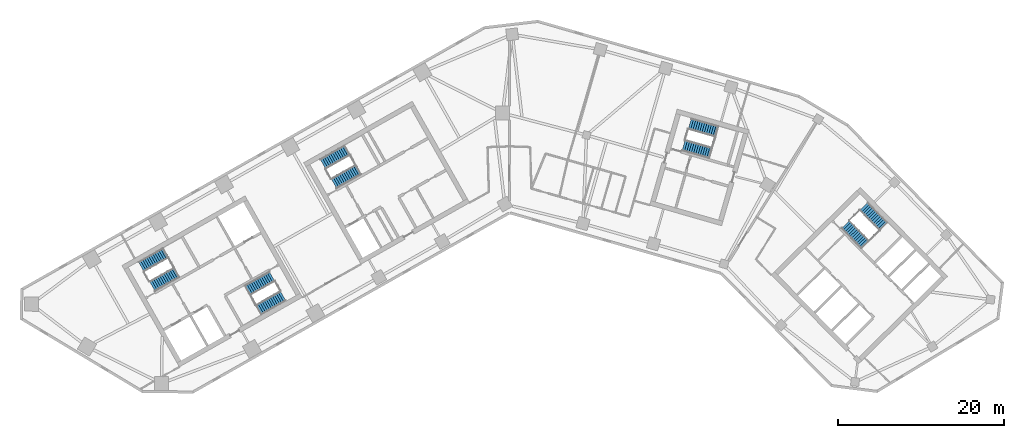
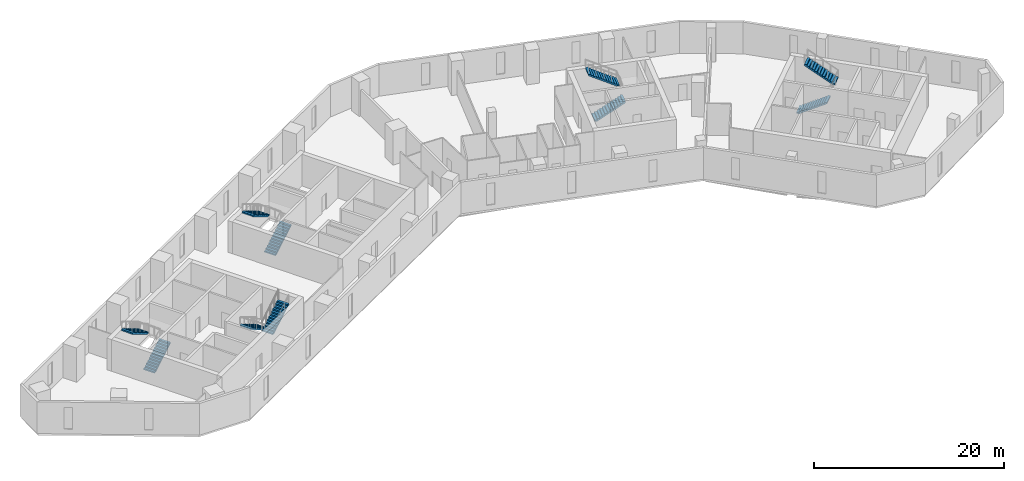
# One storey, part 8 of 10: 10 stair flights, 5 elements without a shape of their own.
"""IFC4 building model written with IfcOpenShell, lengths in metres."""

from ifc_helpers import new_model, si_unit, direction, frame, origin, place, context, subcontext, project, spatial, polyline, outline, extrude, material, type_object, element, aggregate, save


model = new_model("IFC4")

# Units and contexts
model_context = context("Model", 3, precision=1e-05, world=origin(), true_north=direction((0.0, 1.0)))
body_context = subcontext(model_context, "Body", "Model", "MODEL_VIEW")
ifc_project = project(units=[si_unit("LENGTHUNIT", "METRE"), si_unit("AREAUNIT", "SQUARE_METRE"), si_unit("VOLUMEUNIT", "CUBIC_METRE"), si_unit("PLANEANGLEUNIT", "RADIAN"), si_unit("MASSUNIT", "GRAM", prefix="KILO")], contexts=[model_context])

# Site, building, storey
site_placement = place(None, origin())
site = spatial("IfcSite", under=ifc_project, at=site_placement, CompositionType="ELEMENT")
building_placement = place(site_placement, origin())
building = spatial("IfcBuilding", under=site, at=building_placement, Name="Binnacle Exchange Tower", CompositionType="ELEMENT")
storey_placement = place(building_placement, frame((0.0, 0.0, 110.300048828125)))
storey = spatial("IfcBuildingStorey", under=building, at=storey_placement, Name="L22", CompositionType="ELEMENT", Elevation=110.300048828125)

# Stair, stair flights
ifc_material = material(Name="Concrete C35/45", Category="concrete")
stair_type = type_object("IfcStairType", Name="STAIR 26 RISERS 169", PredefinedType="HALF_TURN_STAIR", material=ifc_material)
stair_1_placement = place(storey_placement, origin())
stair_1 = element("IfcStair", 1, at=stair_1_placement, inside=storey, type_object=stair_type, Name="L22 Escape stair A1", PredefinedType="HALF_TURN_STAIR")
stair_flight_type = type_object("IfcStairFlightType", Name="STAIR FLIGHT 169X280", PredefinedType="STRAIGHT", material=ifc_material)
stair_flight_1_placement = place(storey_placement, frame((-42.9541015625, 39.17333984375, 0.0), z_axis=(0.0, 0.0, 1.0), x_axis=(0.870355584213, 0.492423757581, 0.0)))
stair_flight_1 = element("IfcStairFlight", 2, at=stair_flight_1_placement, type_object=stair_flight_type, Name="STA1 flight 1", NumberOfRisers=13, NumberOfTreads=12, PredefinedType="STRAIGHT", RiserHeight=0.169230769, TreadLength=0.28, context=body_context, shape_type="SweptSolid", body=[
    extrude(outline(polyline([(0.0, 0.0), (0.0, 0.169189453125), (0.280029296875, 0.169189453125), (0.280029296875, 0.33837890625), (0.56005859375, 0.33837890625), (0.56005859375, 0.5078125), (0.840087890625, 0.5078125), (0.840087890625, 0.677001953125), (1.1201171875, 0.677001953125), (1.1201171875, 0.84619140625), (1.39990234375, 0.84619140625), (1.39990234375, 1.015380859375), (1.679931640625, 1.015380859375), (1.679931640625, 1.1845703125), (1.9599609375, 1.1845703125), (1.9599609375, 1.353759765625), (2.239990234375, 1.353759765625), (2.239990234375, 1.523193359375), (2.52001953125, 1.523193359375), (2.52001953125, 1.6923828125), (2.800048828125, 1.6923828125), (2.800048828125, 1.861572265625), (3.080078125, 1.861572265625), (3.080078125, 2.03076171875), (3.360107421875, 2.03076171875), (3.360107421875, 2.199951171875), (3.360107421875, 1.855712890625), (0.289794921875, 0.0), (0.0, 0.0)])), frame((0.0, 0.675048828125, 0.0), z_axis=(0.0, -1.0, 0.0), x_axis=(1.0, 0.0, 0.0)), (0.0, 0.0, 1.0), 1.35009765625),
])
stair_flight_2_placement = place(storey_placement, frame((-41.359130859375, 43.177978515625, 2.199951171875), z_axis=(0.0, 0.0, 1.0), x_axis=(-0.870355584213, -0.492423757581, 0.0)))
stair_flight_2 = element("IfcStairFlight", 3, at=stair_flight_2_placement, type_object=stair_flight_type, Name="STA1 flight 2", NumberOfRisers=13, NumberOfTreads=12, PredefinedType="STRAIGHT", RiserHeight=0.169230769, TreadLength=0.28, context=body_context, shape_type="SweptSolid", body=[
    extrude(outline(polyline([(0.0, 0.0), (0.0, 0.169189453125), (0.280029296875, 0.169189453125), (0.280029296875, 0.33837890625), (0.56005859375, 0.33837890625), (0.56005859375, 0.5078125), (0.840087890625, 0.5078125), (0.840087890625, 0.677001953125), (1.1201171875, 0.677001953125), (1.1201171875, 0.84619140625), (1.39990234375, 0.84619140625), (1.39990234375, 1.015380859375), (1.679931640625, 1.015380859375), (1.679931640625, 1.1845703125), (1.9599609375, 1.1845703125), (1.9599609375, 1.353759765625), (2.239990234375, 1.353759765625), (2.239990234375, 1.523193359375), (2.52001953125, 1.523193359375), (2.52001953125, 1.6923828125), (2.800048828125, 1.6923828125), (2.800048828125, 1.861572265625), (3.080078125, 1.861572265625), (3.080078125, 2.03076171875), (3.360107421875, 2.03076171875), (3.360107421875, 2.199951171875), (3.360107421875, 1.855712890625), (0.289794921875, 0.0), (0.0, 0.0)])), frame((0.0, 0.675048828125, 0.0), z_axis=(0.0, -1.0, 0.0), x_axis=(1.0, 0.0, 0.0)), (0.0, 0.0, 1.0), 1.35009765625),
])
aggregate(stair_1, [stair_flight_1, stair_flight_2])

stair_2_placement = place(storey_placement, origin())
stair_2 = element("IfcStair", 4, at=stair_2_placement, inside=storey, type_object=stair_type, Name="L22 Escape stair A2", PredefinedType="HALF_TURN_STAIR")
stair_flight_3_placement = place(storey_placement, frame((-28.5732421875, 40.3583984375, 0.0), z_axis=(0.0, 0.0, 1.0), x_axis=(-0.870355584213, -0.492423757581, 0.0)))
stair_flight_3 = element("IfcStairFlight", 5, at=stair_flight_3_placement, type_object=stair_flight_type, Name="STA2 flight 1", NumberOfRisers=13, NumberOfTreads=12, PredefinedType="STRAIGHT", RiserHeight=0.169230769, TreadLength=0.28, context=body_context, shape_type="SweptSolid", body=[
    extrude(outline(polyline([(0.0, 0.0), (0.0, 0.169189453125), (0.280029296875, 0.169189453125), (0.280029296875, 0.33837890625), (0.56005859375, 0.33837890625), (0.56005859375, 0.5078125), (0.840087890625, 0.5078125), (0.840087890625, 0.677001953125), (1.1201171875, 0.677001953125), (1.1201171875, 0.84619140625), (1.39990234375, 0.84619140625), (1.39990234375, 1.015380859375), (1.679931640625, 1.015380859375), (1.679931640625, 1.1845703125), (1.9599609375, 1.1845703125), (1.9599609375, 1.353759765625), (2.239990234375, 1.353759765625), (2.239990234375, 1.523193359375), (2.52001953125, 1.523193359375), (2.52001953125, 1.6923828125), (2.800048828125, 1.6923828125), (2.800048828125, 1.861572265625), (3.080078125, 1.861572265625), (3.080078125, 2.03076171875), (3.360107421875, 2.03076171875), (3.360107421875, 2.199951171875), (3.360107421875, 1.855712890625), (0.289794921875, 0.0), (0.0, 0.0)])), frame((0.0, 0.675048828125, 0.0), z_axis=(0.0, -1.0, 0.0), x_axis=(1.0, 0.0, 0.0)), (0.0, 0.0, 1.0), 1.35009765625),
])
stair_flight_4_placement = place(storey_placement, frame((-30.16796875, 36.35400390625, 2.199951171875), z_axis=(0.0, 0.0, 1.0), x_axis=(0.870355584213, 0.492423757581, 0.0)))
stair_flight_4 = element("IfcStairFlight", 6, at=stair_flight_4_placement, type_object=stair_flight_type, Name="STA2 flight 2", NumberOfRisers=13, NumberOfTreads=12, PredefinedType="STRAIGHT", RiserHeight=0.169230769, TreadLength=0.28, context=body_context, shape_type="SweptSolid", body=[
    extrude(outline(polyline([(0.0, 0.0), (0.0, 0.169189453125), (0.280029296875, 0.169189453125), (0.280029296875, 0.33837890625), (0.56005859375, 0.33837890625), (0.56005859375, 0.5078125), (0.840087890625, 0.5078125), (0.840087890625, 0.677001953125), (1.1201171875, 0.677001953125), (1.1201171875, 0.84619140625), (1.39990234375, 0.84619140625), (1.39990234375, 1.015380859375), (1.679931640625, 1.015380859375), (1.679931640625, 1.1845703125), (1.9599609375, 1.1845703125), (1.9599609375, 1.353759765625), (2.239990234375, 1.353759765625), (2.239990234375, 1.523193359375), (2.52001953125, 1.523193359375), (2.52001953125, 1.6923828125), (2.800048828125, 1.6923828125), (2.800048828125, 1.861572265625), (3.080078125, 1.861572265625), (3.080078125, 2.03076171875), (3.360107421875, 2.03076171875), (3.360107421875, 2.199951171875), (3.360107421875, 1.855712890625), (0.289794921875, 0.0), (0.0, 0.0)])), frame((0.0, 0.675048828125, 0.0), z_axis=(0.0, -1.0, 0.0), x_axis=(1.0, 0.0, 0.0)), (0.0, 0.0, 1.0), 1.35009765625),
])
aggregate(stair_2, [stair_flight_3, stair_flight_4])

stair_3_placement = place(storey_placement, origin())
stair_3 = element("IfcStair", 7, at=stair_3_placement, inside=storey, type_object=stair_type, Name="L22 Escape stair B1", PredefinedType="HALF_TURN_STAIR")
stair_flight_5_placement = place(storey_placement, frame((40.376708984375, 46.608642578125, 0.0), z_axis=(0.0, 0.0, 1.0), x_axis=(0.70090935144, -0.713250363522, 0.0)))
stair_flight_5 = element("IfcStairFlight", 8, at=stair_flight_5_placement, type_object=stair_flight_type, Name="STB1 flight 1", NumberOfRisers=13, NumberOfTreads=12, PredefinedType="STRAIGHT", RiserHeight=0.169230769, TreadLength=0.28, context=body_context, shape_type="SweptSolid", body=[
    extrude(outline(polyline([(0.0, 0.0), (0.0, 0.169189453125), (0.280029296875, 0.169189453125), (0.280029296875, 0.33837890625), (0.56005859375, 0.33837890625), (0.56005859375, 0.5078125), (0.840087890625, 0.5078125), (0.840087890625, 0.677001953125), (1.1201171875, 0.677001953125), (1.1201171875, 0.84619140625), (1.39990234375, 0.84619140625), (1.39990234375, 1.015380859375), (1.679931640625, 1.015380859375), (1.679931640625, 1.1845703125), (1.9599609375, 1.1845703125), (1.9599609375, 1.353759765625), (2.239990234375, 1.353759765625), (2.239990234375, 1.523193359375), (2.52001953125, 1.523193359375), (2.52001953125, 1.6923828125), (2.800048828125, 1.6923828125), (2.800048828125, 1.861572265625), (3.080078125, 1.861572265625), (3.080078125, 2.03076171875), (3.360107421875, 2.03076171875), (3.360107421875, 2.199951171875), (3.360107421875, 1.855712890625), (0.289794921875, 0.0), (0.0, 0.0)])), frame((0.0, 0.675048828125, 0.0), z_axis=(0.0, -1.0, 0.0), x_axis=(1.0, 0.0, 0.0)), (0.0, 0.0, 1.0), 1.35009765625),
])
stair_flight_6_placement = place(storey_placement, frame((44.94287109375, 46.385009765625, 2.199951171875), z_axis=(0.0, 0.0, 1.0), x_axis=(-0.70090935144, 0.713250363522, 0.0)))
stair_flight_6 = element("IfcStairFlight", 9, at=stair_flight_6_placement, type_object=stair_flight_type, Name="STB1 flight 2", NumberOfRisers=13, NumberOfTreads=12, PredefinedType="STRAIGHT", RiserHeight=0.169230769, TreadLength=0.28, context=body_context, shape_type="SweptSolid", body=[
    extrude(outline(polyline([(0.0, 0.0), (0.0, 0.169189453125), (0.280029296875, 0.169189453125), (0.280029296875, 0.33837890625), (0.56005859375, 0.33837890625), (0.56005859375, 0.5078125), (0.840087890625, 0.5078125), (0.840087890625, 0.677001953125), (1.1201171875, 0.677001953125), (1.1201171875, 0.84619140625), (1.39990234375, 0.84619140625), (1.39990234375, 1.015380859375), (1.679931640625, 1.015380859375), (1.679931640625, 1.1845703125), (1.9599609375, 1.1845703125), (1.9599609375, 1.353759765625), (2.239990234375, 1.353759765625), (2.239990234375, 1.523193359375), (2.52001953125, 1.523193359375), (2.52001953125, 1.6923828125), (2.800048828125, 1.6923828125), (2.800048828125, 1.861572265625), (3.080078125, 1.861572265625), (3.080078125, 2.03076171875), (3.360107421875, 2.03076171875), (3.360107421875, 2.199951171875), (3.360107421875, 1.855712890625), (0.289794921875, 0.0), (0.0, 0.0)])), frame((0.0, 0.675048828125, 0.0), z_axis=(0.0, -1.0, 0.0), x_axis=(1.0, 0.0, 0.0)), (0.0, 0.0, 1.0), 1.35009765625),
])
aggregate(stair_3, [stair_flight_5, stair_flight_6])

stair_4_placement = place(storey_placement, origin())
stair_4 = element("IfcStair", 10, at=stair_4_placement, inside=storey, type_object=stair_type, Name="L22 Escape stair C1", PredefinedType="HALF_TURN_STAIR")
stair_flight_7_placement = place(storey_placement, frame((-21.115966796875, 51.528564453125, 0.0), z_axis=(0.0, 0.0, 1.0), x_axis=(0.870355584213, 0.492423757581, 0.0)))
stair_flight_7 = element("IfcStairFlight", 11, at=stair_flight_7_placement, type_object=stair_flight_type, Name="STC1 flight 1", NumberOfRisers=13, NumberOfTreads=12, PredefinedType="STRAIGHT", RiserHeight=0.169230769, TreadLength=0.28, context=body_context, shape_type="SweptSolid", body=[
    extrude(outline(polyline([(0.0, 0.0), (0.0, 0.169189453125), (0.280029296875, 0.169189453125), (0.280029296875, 0.33837890625), (0.56005859375, 0.33837890625), (0.56005859375, 0.5078125), (0.840087890625, 0.5078125), (0.840087890625, 0.677001953125), (1.1201171875, 0.677001953125), (1.1201171875, 0.84619140625), (1.39990234375, 0.84619140625), (1.39990234375, 1.015380859375), (1.679931640625, 1.015380859375), (1.679931640625, 1.1845703125), (1.9599609375, 1.1845703125), (1.9599609375, 1.353759765625), (2.239990234375, 1.353759765625), (2.239990234375, 1.523193359375), (2.52001953125, 1.523193359375), (2.52001953125, 1.6923828125), (2.800048828125, 1.6923828125), (2.800048828125, 1.861572265625), (3.080078125, 1.861572265625), (3.080078125, 2.03076171875), (3.360107421875, 2.03076171875), (3.360107421875, 2.199951171875), (3.360107421875, 1.855712890625), (0.289794921875, 0.0), (0.0, 0.0)])), frame((0.0, 0.675048828125, 0.0), z_axis=(0.0, -1.0, 0.0), x_axis=(1.0, 0.0, 0.0)), (0.0, 0.0, 1.0), 1.35009765625),
])
stair_flight_8_placement = place(storey_placement, frame((-19.521240234375, 55.533203125, 2.199951171875), z_axis=(0.0, 0.0, 1.0), x_axis=(-0.870355584213, -0.492423757581, 0.0)))
stair_flight_8 = element("IfcStairFlight", 12, at=stair_flight_8_placement, type_object=stair_flight_type, Name="STC1 flight 2", NumberOfRisers=13, NumberOfTreads=12, PredefinedType="STRAIGHT", RiserHeight=0.169230769, TreadLength=0.28, context=body_context, shape_type="SweptSolid", body=[
    extrude(outline(polyline([(0.0, 0.0), (0.0, 0.169189453125), (0.280029296875, 0.169189453125), (0.280029296875, 0.33837890625), (0.56005859375, 0.33837890625), (0.56005859375, 0.5078125), (0.840087890625, 0.5078125), (0.840087890625, 0.677001953125), (1.1201171875, 0.677001953125), (1.1201171875, 0.84619140625), (1.39990234375, 0.84619140625), (1.39990234375, 1.015380859375), (1.679931640625, 1.015380859375), (1.679931640625, 1.1845703125), (1.9599609375, 1.1845703125), (1.9599609375, 1.353759765625), (2.239990234375, 1.353759765625), (2.239990234375, 1.523193359375), (2.52001953125, 1.523193359375), (2.52001953125, 1.6923828125), (2.800048828125, 1.6923828125), (2.800048828125, 1.861572265625), (3.080078125, 1.861572265625), (3.080078125, 2.03076171875), (3.360107421875, 2.03076171875), (3.360107421875, 2.199951171875), (3.360107421875, 1.855712890625), (0.289794921875, 0.0), (0.0, 0.0)])), frame((0.0, 0.675048828125, 0.0), z_axis=(0.0, -1.0, 0.0), x_axis=(1.0, 0.0, 0.0)), (0.0, 0.0, 1.0), 1.35009765625),
])
aggregate(stair_4, [stair_flight_7, stair_flight_8])

stair_5_placement = place(storey_placement, origin())
stair_5 = element("IfcStair", 13, at=stair_5_placement, inside=storey, type_object=stair_type, Name="L22 Escape stair D1", PredefinedType="HALF_TURN_STAIR")
stair_flight_9_placement = place(storey_placement, frame((20.914306640625, 56.109619140625, 0.0), z_axis=(0.0, 0.0, 1.0), x_axis=(0.961261811397, -0.275636953165, 0.0)))
stair_flight_9 = element("IfcStairFlight", 14, at=stair_flight_9_placement, type_object=stair_flight_type, Name="STD1 flight 1", NumberOfRisers=13, NumberOfTreads=12, PredefinedType="STRAIGHT", RiserHeight=0.169230769, TreadLength=0.28, context=body_context, shape_type="SweptSolid", body=[
    extrude(outline(polyline([(0.0, 0.0), (0.0, 0.169189453125), (0.280029296875, 0.169189453125), (0.280029296875, 0.33837890625), (0.56005859375, 0.33837890625), (0.56005859375, 0.5078125), (0.840087890625, 0.5078125), (0.840087890625, 0.677001953125), (1.1201171875, 0.677001953125), (1.1201171875, 0.84619140625), (1.39990234375, 0.84619140625), (1.39990234375, 1.015380859375), (1.679931640625, 1.015380859375), (1.679931640625, 1.1845703125), (1.9599609375, 1.1845703125), (1.9599609375, 1.353759765625), (2.239990234375, 1.353759765625), (2.239990234375, 1.523193359375), (2.52001953125, 1.523193359375), (2.52001953125, 1.6923828125), (2.800048828125, 1.6923828125), (2.800048828125, 1.861572265625), (3.080078125, 1.861572265625), (3.080078125, 2.03076171875), (3.360107421875, 2.03076171875), (3.360107421875, 2.199951171875), (3.360107421875, 1.855712890625), (0.289794921875, 0.0), (0.0, 0.0)])), frame((0.0, 0.675048828125, 0.0), z_axis=(0.0, -1.0, 0.0), x_axis=(1.0, 0.0, 0.0)), (0.0, 0.0, 1.0), 1.35009765625),
])
stair_flight_10_placement = place(storey_placement, frame((24.888427734375, 57.77880859375, 2.199951171875), z_axis=(0.0, 0.0, 1.0), x_axis=(-0.961261811397, 0.275636953165, 0.0)))
stair_flight_10 = element("IfcStairFlight", 15, at=stair_flight_10_placement, type_object=stair_flight_type, Name="STD1 flight 2", NumberOfRisers=13, NumberOfTreads=12, PredefinedType="STRAIGHT", RiserHeight=0.169230769, TreadLength=0.28, context=body_context, shape_type="SweptSolid", body=[
    extrude(outline(polyline([(0.0, 0.0), (0.0, 0.169189453125), (0.280029296875, 0.169189453125), (0.280029296875, 0.33837890625), (0.56005859375, 0.33837890625), (0.56005859375, 0.5078125), (0.840087890625, 0.5078125), (0.840087890625, 0.677001953125), (1.1201171875, 0.677001953125), (1.1201171875, 0.84619140625), (1.39990234375, 0.84619140625), (1.39990234375, 1.015380859375), (1.679931640625, 1.015380859375), (1.679931640625, 1.1845703125), (1.9599609375, 1.1845703125), (1.9599609375, 1.353759765625), (2.239990234375, 1.353759765625), (2.239990234375, 1.523193359375), (2.52001953125, 1.523193359375), (2.52001953125, 1.6923828125), (2.800048828125, 1.6923828125), (2.800048828125, 1.861572265625), (3.080078125, 1.861572265625), (3.080078125, 2.03076171875), (3.360107421875, 2.03076171875), (3.360107421875, 2.199951171875), (3.360107421875, 1.855712890625), (0.289794921875, 0.0), (0.0, 0.0)])), frame((0.0, 0.675048828125, 0.0), z_axis=(0.0, -1.0, 0.0), x_axis=(1.0, 0.0, 0.0)), (0.0, 0.0, 1.0), 1.35009765625),
])
aggregate(stair_5, [stair_flight_9, stair_flight_10])

save(model, "model.ifc")
